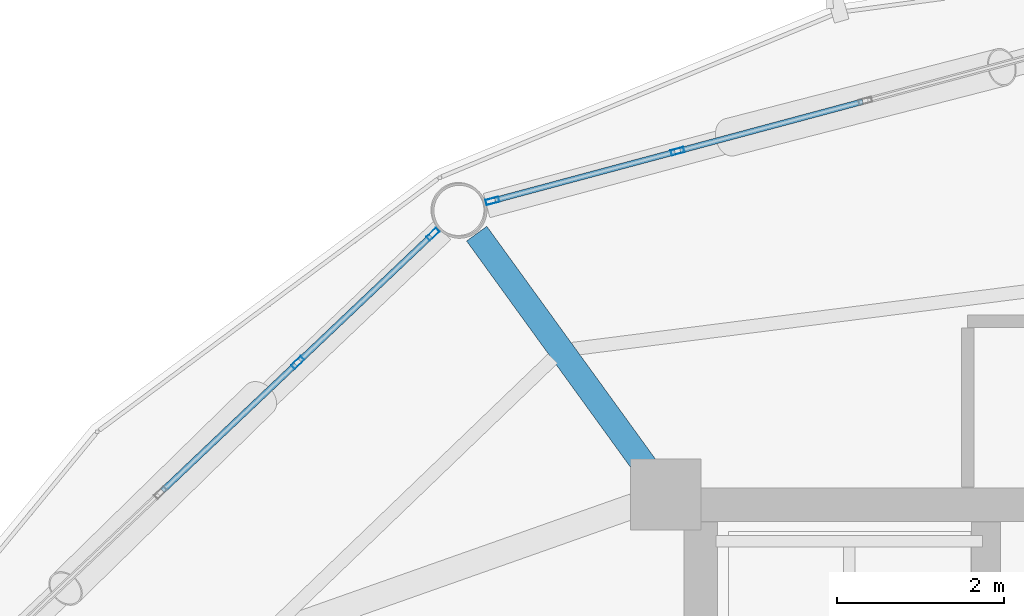
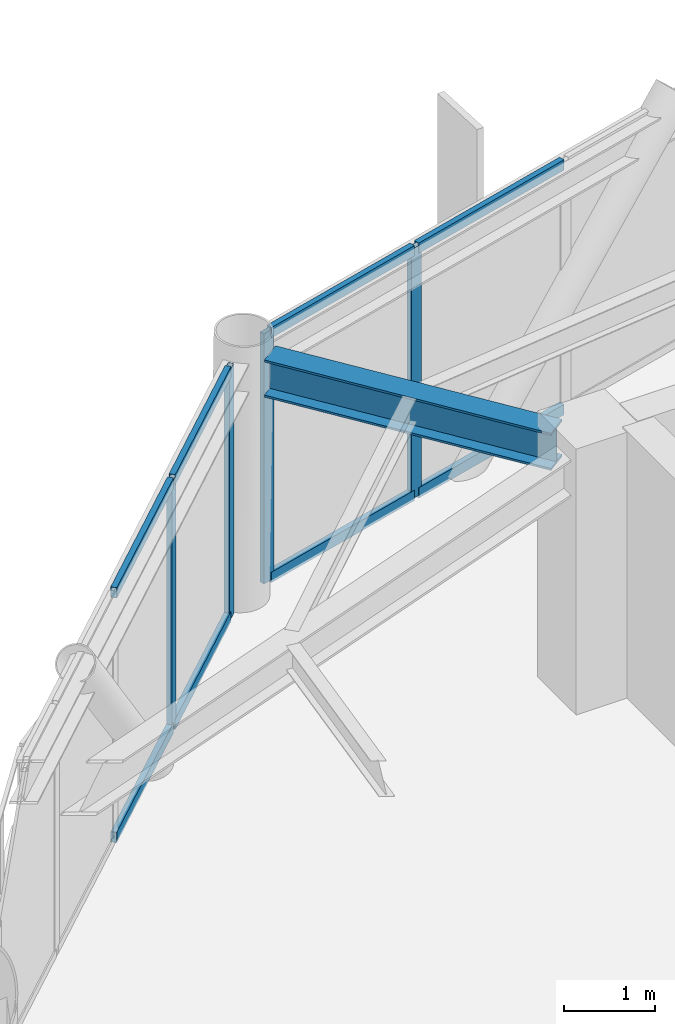
# One storey, part 18 of 28: 12 members, 1 beam, 2 elements without a shape of their own.
"""IFC4 building model written with IfcOpenShell, lengths in metres."""

from ifc_helpers import new_model, si_unit, direction, frame, origin, origin_2d, place, context, subcontext, project, spatial, hollow_rectangle, i_section, extrude, material, layer, layer_set, material_profile, profile_set, type_object, element, aggregate, save


model = new_model("IFC4")

# Units and contexts
model_context = context("Model", 3, precision=1e-05, world=origin(), true_north=direction((0.0, 1.0)))
body_context = subcontext(model_context, "Body", "Model", "MODEL_VIEW")
ifc_project = project(units=[si_unit("LENGTHUNIT", "METRE"), si_unit("AREAUNIT", "SQUARE_METRE"), si_unit("VOLUMEUNIT", "CUBIC_METRE"), si_unit("PLANEANGLEUNIT", "RADIAN"), si_unit("MASSUNIT", "GRAM", prefix="KILO")], contexts=[model_context])

# Site, building, storey
site_placement = place(None, origin())
site = spatial("IfcSite", under=ifc_project, at=site_placement, CompositionType="ELEMENT")
building_placement = place(site_placement, origin())
building = spatial("IfcBuilding", under=site, at=building_placement, Name="Varnakorn Sky Granary", CompositionType="ELEMENT")
storey_placement = place(building_placement, frame((0.0, 0.0, 186.0)))
storey = spatial("IfcBuildingStorey", under=building, at=storey_placement, Name="L46", CompositionType="ELEMENT", Elevation=186.0)

# Beam
ifc_material_1 = material(Name="Steel S355JR", Category="steel")
ifc_material_profile_1 = material_profile(ifc_material_1, i_section(OverallWidth=0.300048828125, OverallDepth=0.5, WebThickness=0.014404296875, FlangeThickness=0.028076171875, at=origin_2d()), Name="HE 500 B")
ifc_profile_set_1 = profile_set([ifc_material_profile_1], Name="Steel S355JR")
beam_type = type_object("IfcBeamType", Name="BM-RAD-Z4", PredefinedType="BEAM", material=ifc_profile_set_1)
beam_placement = place(storey_placement, frame((-2.65771484375, 12.947998046875, 3.110107421875), z_axis=(-0.586739699738, 0.809775601479, 0.0), x_axis=(-0.809775601479, -0.586739699738, 0.0)))
element("IfcBeam", 1, at=beam_placement, inside=storey, type_object=beam_type, Name="Radial Floor Girder RG05 L46", PredefinedType="BEAM", context=body_context, shape_type="SweptSolid", body=[
    extrude(i_section(OverallWidth=0.300048828125, OverallDepth=0.5, WebThickness=0.014404296875, FlangeThickness=0.028076171875, at=origin_2d()), origin(), (0.0, 0.0, 1.0), 3.458984375),
])

# Curtain wall, members
ifc_material_2 = material(Name="Anodised Bronze Aluminium Alloy 6063-T6", Category="aluminium")
ifc_layer = layer(ifc_material_2, 0.169921875, Name="Anodised Bronze Aluminium Alloy 6063-T6")
ifc_layer_set = layer_set([ifc_layer], Name="Anodised Bronze Aluminium Alloy 6063-T6")
curtain_wall_type = type_object("IfcCurtainWallType", Name="CW-LAB-1", PredefinedType="USERDEFINED", material=ifc_layer_set)
curtain_wall_1_placement = place(storey_placement, origin())
curtain_wall_1 = element("IfcCurtainWall", 2, at=curtain_wall_1_placement, inside=storey, type_object=curtain_wall_type, Name="Unitised Curtain Wall CW5 CW-L46-B04", ObjectType="CURTAIN WALL", PredefinedType="USERDEFINED")
ifc_material_profile_2 = material_profile(ifc_material_2, hollow_rectangle(XDim=0.06494140625, YDim=0.159912109375, WallThickness=0.00341796875, at=origin_2d()), Name="ALU MULL 65x160")
ifc_profile_set_2 = profile_set([ifc_material_profile_2], Name="Anodised Bronze Aluminium Alloy 6063-T6")
member_type_1 = type_object("IfcMemberType", Name="CW-LAB-1-MULL", PredefinedType="MULLION", material=ifc_profile_set_2)
member_1_placement = place(storey_placement, frame((-4.497802734375, 16.14208984375, 0.0), z_axis=(0.0, 0.0, 1.0), x_axis=(-0.258925213654, 0.965897372258, 0.0)))
member_1 = element("IfcMember", 3, at=member_1_placement, type_object=member_type_1, Name="CW5 mullion 1", PredefinedType="MULLION", context=body_context, shape_type="SweptSolid", body=[
    extrude(hollow_rectangle(XDim=0.06494140625, YDim=0.159912109375, WallThickness=0.00341796875, at=origin_2d()), origin(), (0.0, 0.0, 1.0), 3.360107421875),
])
member_2_placement = place(storey_placement, frame((-2.278564453125, 16.737060546875, 0.0), z_axis=(0.0, 0.0, 1.0), x_axis=(-0.258925213654, 0.965897372258, 0.0)))
member_2 = element("IfcMember", 4, at=member_2_placement, type_object=member_type_1, Name="CW5 mullion 2", PredefinedType="MULLION", context=body_context, shape_type="SweptSolid", body=[
    extrude(hollow_rectangle(XDim=0.06494140625, YDim=0.159912109375, WallThickness=0.00341796875, at=origin_2d()), origin(), (0.0, 0.0, 1.0), 3.360107421875),
])

curtain_wall_2_placement = place(storey_placement, origin())
curtain_wall_2 = element("IfcCurtainWall", 5, at=curtain_wall_2_placement, inside=storey, type_object=curtain_wall_type, Name="Unitised Curtain Wall CW5 CW-L46-B05", ObjectType="CURTAIN WALL", PredefinedType="USERDEFINED")
member_3_placement = place(storey_placement, frame((-6.8330078125, 14.204345703125, 0.0), z_axis=(0.0, 0.0, 1.0), x_axis=(-0.688291544345, 0.725434180325, 0.0)))
member_3 = element("IfcMember", 6, at=member_3_placement, type_object=member_type_1, Name="CW5 mullion 4", PredefinedType="MULLION", context=body_context, shape_type="SweptSolid", body=[
    extrude(hollow_rectangle(XDim=0.06494140625, YDim=0.159912109375, WallThickness=0.00341796875, at=origin_2d()), origin(), (0.0, 0.0, 1.0), 3.360107421875),
])
member_4_placement = place(storey_placement, frame((-5.21240234375, 15.741943359375, 0.0), z_axis=(0.0, 0.0, 1.0), x_axis=(-0.688291544345, 0.725434180325, 0.0)))
member_4 = element("IfcMember", 7, at=member_4_placement, type_object=member_type_1, Name="CW5 mullion 5", PredefinedType="MULLION", context=body_context, shape_type="SweptSolid", body=[
    extrude(hollow_rectangle(XDim=0.06494140625, YDim=0.159912109375, WallThickness=0.00341796875, at=origin_2d()), origin(), (0.0, 0.0, 1.0), 3.360107421875),
])

# Member
ifc_material_profile_3 = material_profile(ifc_material_2, hollow_rectangle(XDim=0.070068359375, YDim=0.139892578125, WallThickness=0.00341796875, at=origin_2d()), Name="ALU TRAN 70x140")
ifc_profile_set_3 = profile_set([ifc_material_profile_3], Name="Anodised Bronze Aluminium Alloy 6063-T6")
member_type_2 = type_object("IfcMemberType", Name="CW-LAB-1-TRAN", PredefinedType="USERDEFINED", material=ifc_profile_set_3)
member_5_placement = place(storey_placement, frame((-4.466552734375, 16.150634765625, 0.034912109375), z_axis=(0.965920227617, 0.258839938726, 0.0), x_axis=(-0.258839938726, 0.965920227617, 0.0)))
member_5 = element("IfcMember", 8, at=member_5_placement, type_object=member_type_2, Name="CW5 transom 1.1", ObjectType="TRANSOM", PredefinedType="USERDEFINED", context=body_context, shape_type="SweptSolid", body=[
    extrude(hollow_rectangle(XDim=0.070068359375, YDim=0.139892578125, WallThickness=0.00341796875, at=origin_2d()), origin(), (0.0, 0.0, 1.0), 2.232666015625),
])

member_6_placement = place(storey_placement, frame((-4.466552734375, 16.150634765625, 3.324951171875), z_axis=(0.965920227617, 0.258839938726, 0.0), x_axis=(-0.258839938726, 0.965920227617, 0.0)))
member_6 = element("IfcMember", 9, at=member_6_placement, type_object=member_type_2, Name="CW5 transom 1.2", ObjectType="TRANSOM", PredefinedType="USERDEFINED", context=body_context, shape_type="SweptSolid", body=[
    extrude(hollow_rectangle(XDim=0.070068359375, YDim=0.139892578125, WallThickness=0.00341796875, at=origin_2d()), origin(), (0.0, 0.0, 1.0), 2.232666015625),
])

member_7_placement = place(storey_placement, frame((-2.247314453125, 16.745361328125, 0.034912109375), z_axis=(0.965881642229, 0.258983885994, 0.0), x_axis=(-0.258983885994, 0.965881642229, 0.0)))
member_7 = element("IfcMember", 10, at=member_7_placement, type_object=member_type_2, Name="CW5 transom 2.1", ObjectType="TRANSOM", PredefinedType="USERDEFINED", context=body_context, shape_type="SweptSolid", body=[
    extrude(hollow_rectangle(XDim=0.070068359375, YDim=0.139892578125, WallThickness=0.00341796875, at=origin_2d()), origin(), (0.0, 0.0, 1.0), 2.265380859375),
])

member_8_placement = place(storey_placement, frame((-2.247314453125, 16.745361328125, 3.324951171875), z_axis=(0.965881642229, 0.258983885994, 0.0), x_axis=(-0.258983885994, 0.965881642229, 0.0)))
member_8 = element("IfcMember", 11, at=member_8_placement, type_object=member_type_2, Name="CW5 transom 2.2", ObjectType="TRANSOM", PredefinedType="USERDEFINED", context=body_context, shape_type="SweptSolid", body=[
    extrude(hollow_rectangle(XDim=0.070068359375, YDim=0.139892578125, WallThickness=0.00341796875, at=origin_2d()), origin(), (0.0, 0.0, 1.0), 2.265380859375),
])

aggregate(curtain_wall_1, [member_1, member_2, member_5, member_6, member_7, member_8])

member_9_placement = place(storey_placement, frame((-8.453369140625, 12.6669921875, 0.034912109375), z_axis=(0.725439559585, 0.688285874757, 0.0), x_axis=(-0.688285874757, 0.725439559585, 0.0)))
member_9 = element("IfcMember", 12, at=member_9_placement, type_object=member_type_2, Name="CW5 transom 3.1", ObjectType="TRANSOM", PredefinedType="USERDEFINED", context=body_context, shape_type="SweptSolid", body=[
    extrude(hollow_rectangle(XDim=0.070068359375, YDim=0.139892578125, WallThickness=0.00341796875, at=origin_2d()), origin(), (0.0, 0.0, 1.0), 2.201416015625),
])

member_10_placement = place(storey_placement, frame((-8.453369140625, 12.6669921875, 3.324951171875), z_axis=(0.725439559585, 0.688285874757, 0.0), x_axis=(-0.688285874757, 0.725439559585, 0.0)))
member_10 = element("IfcMember", 13, at=member_10_placement, type_object=member_type_2, Name="CW5 transom 3.2", ObjectType="TRANSOM", PredefinedType="USERDEFINED", context=body_context, shape_type="SweptSolid", body=[
    extrude(hollow_rectangle(XDim=0.070068359375, YDim=0.139892578125, WallThickness=0.00341796875, at=origin_2d()), origin(), (0.0, 0.0, 1.0), 2.201416015625),
])

member_11_placement = place(storey_placement, frame((-6.809326171875, 14.226806640625, 0.034912109375), z_axis=(0.725437754945, 0.688287776806, 0.0), x_axis=(-0.688287776806, 0.725437754945, 0.0)))
member_11 = element("IfcMember", 14, at=member_11_placement, type_object=member_type_2, Name="CW5 transom 4.1", ObjectType="TRANSOM", PredefinedType="USERDEFINED", context=body_context, shape_type="SweptSolid", body=[
    extrude(hollow_rectangle(XDim=0.070068359375, YDim=0.139892578125, WallThickness=0.00341796875, at=origin_2d()), origin(), (0.0, 0.0, 1.0), 2.168701171875),
])

member_12_placement = place(storey_placement, frame((-6.809326171875, 14.226806640625, 3.324951171875), z_axis=(0.725437754945, 0.688287776806, 0.0), x_axis=(-0.688287776806, 0.725437754945, 0.0)))
member_12 = element("IfcMember", 15, at=member_12_placement, type_object=member_type_2, Name="CW5 transom 4.2", ObjectType="TRANSOM", PredefinedType="USERDEFINED", context=body_context, shape_type="SweptSolid", body=[
    extrude(hollow_rectangle(XDim=0.070068359375, YDim=0.139892578125, WallThickness=0.00341796875, at=origin_2d()), origin(), (0.0, 0.0, 1.0), 2.168701171875),
])

aggregate(curtain_wall_2, [member_3, member_4, member_9, member_10, member_11, member_12])

save(model, "model.ifc")
